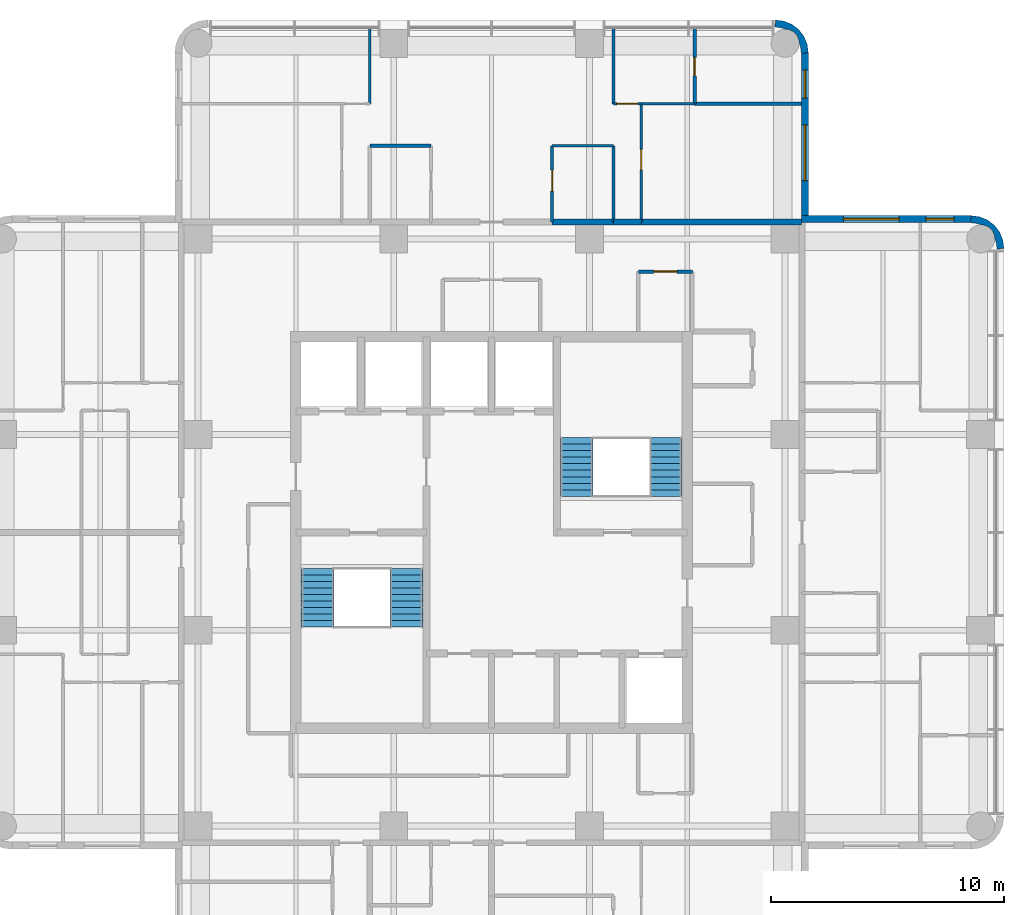
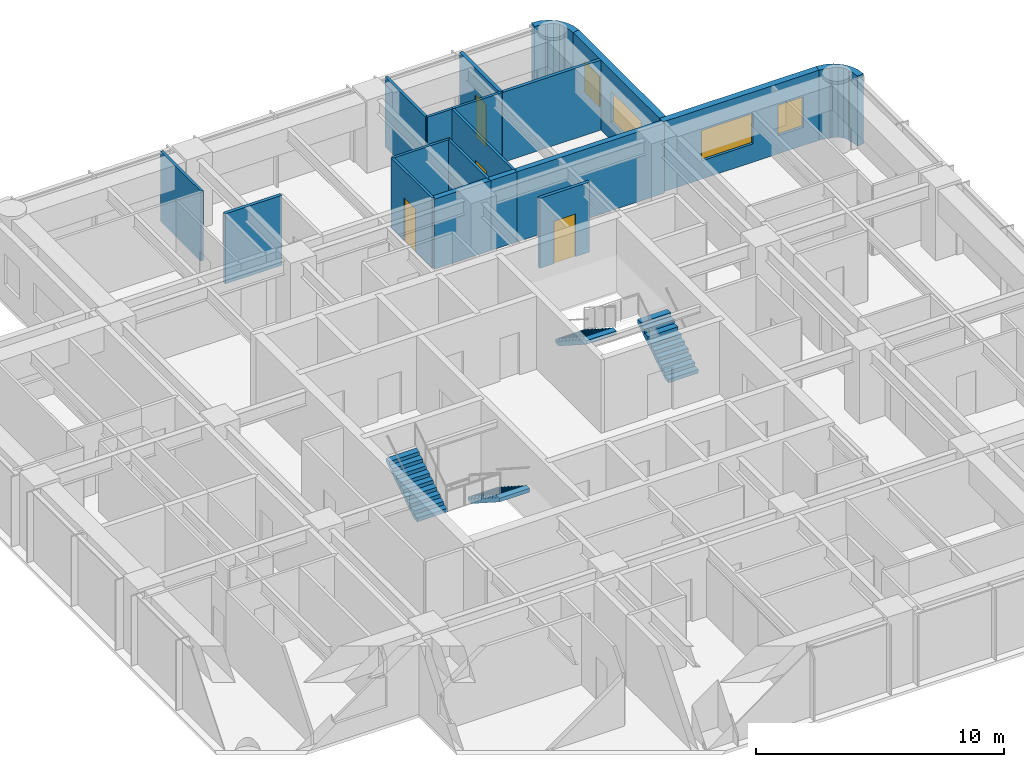
# One storey, part 8 of 9: 19 walls, 5 doors, 4 stair flights, 4 windows, 9 openings, 2 elements without a shape of their own.
"""IFC4 building model written with IfcOpenShell, lengths in metres."""

from ifc_helpers import new_model, si_unit, direction, frame, frame_2d, origin, place, context, subcontext, project, spatial, polyline, rectangle, outline, extrude, material, layer, layer_set, type_object, element, fill, aggregate, save


model = new_model("IFC4")

# Units and contexts
model_context = context("Model", 3, precision=1e-05, world=origin(), true_north=direction((0.0, 1.0)))
body_context = subcontext(model_context, "Body", "Model", "MODEL_VIEW")
ifc_project = project(units=[si_unit("LENGTHUNIT", "METRE"), si_unit("AREAUNIT", "SQUARE_METRE"), si_unit("VOLUMEUNIT", "CUBIC_METRE"), si_unit("PLANEANGLEUNIT", "RADIAN"), si_unit("MASSUNIT", "GRAM", prefix="KILO")], contexts=[model_context])

# Site, building, storey
site_placement = place(None, origin())
site = spatial("IfcSite", under=ifc_project, at=site_placement, CompositionType="ELEMENT")
building_placement = place(site_placement, origin())
building = spatial("IfcBuilding", under=site, at=building_placement, Name="Torre Alcanfor", CompositionType="ELEMENT")
storey_placement = place(building_placement, frame((0.0, 0.0, 268.5)))
storey = spatial("IfcBuildingStorey", under=building, at=storey_placement, Name="L70", CompositionType="ELEMENT", Elevation=268.5)

# Walls
ifc_material_1 = material(Name="Concrete block masonry, hollow blocks NMX-C-404 9 MPa", Category="masonry")
ifc_layer_1 = layer(ifc_material_1, 0.25)
ifc_layer_set_1 = layer_set([ifc_layer_1], Name="Apartment entrance wall 250 EI 60")
wall_type_1 = type_object("IfcWallType", Name="Apartment entrance wall 250 EI 60", PredefinedType="PARTITIONING", material=ifc_layer_set_1)
wall_1_placement = place(storey_placement, frame((32.0, 42.72509765625, 0.0), z_axis=(0.0, 0.0, 1.0), x_axis=(1.0, 0.0, 0.0)))
element("IfcWall", 1, at=wall_1_placement, inside=storey, type_object=wall_type_1, Name="Partition L70-CORR / L70-NX-KITCHEN", PredefinedType="PARTITIONING", context=body_context, shape_type="SweptSolid", body=[
    extrude(rectangle(XDim=2.62890625, YDim=0.25, at=frame_2d((1.314453125, 0.0))), origin(), (0.0, 0.0, 1.0), 3.449951171875),
])
wall_2_placement = place(storey_placement, frame((34.62890625, 42.72509765625, 0.0), z_axis=(0.0, 0.0, 1.0), x_axis=(1.0, 0.0, 0.0)))
element("IfcWall", 2, at=wall_2_placement, inside=storey, type_object=wall_type_1, Name="Partition L70-CORR / L70-NX-LIVING", PredefinedType="PARTITIONING", context=body_context, shape_type="SweptSolid", body=[
    extrude(rectangle(XDim=1.2001953125, YDim=0.25, at=frame_2d((0.60009765625, 0.0))), origin(), (0.0, 0.0, 1.0), 3.449951171875),
])
wall_3_placement = place(storey_placement, frame((35.8291015625, 42.72509765625, 0.0), z_axis=(0.0, 0.0, 1.0), x_axis=(1.0, 0.0, 0.0)))
element("IfcWall", 3, at=wall_3_placement, inside=storey, type_object=wall_type_1, Name="Partition L70-CORR / L70-NX-BED3", PredefinedType="PARTITIONING", context=body_context, shape_type="SweptSolid", body=[
    extrude(rectangle(XDim=6.870849609375, YDim=0.25, at=frame_2d((3.435546875, 0.0))), origin(), (0.0, 0.0, 1.0), 3.449951171875),
])

# Wall, opening, door
ifc_material_2 = material(Name="Gypsum board on steel studs", Category="steel")
ifc_layer_2 = layer(ifc_material_2, 0.1201171875)
ifc_layer_set_2 = layer_set([ifc_layer_2], Name="Apartment partition 120")
wall_type_2 = type_object("IfcWallType", Name="Apartment partition 120", PredefinedType="PARTITIONING", material=ifc_layer_set_2)
wall_4_placement = place(storey_placement, frame((32.0, 42.72509765625, 0.0), z_axis=(0.0, 0.0, 1.0), x_axis=(0.0, 1.0, 0.0)))
wall_4 = element("IfcWall", 4, at=wall_4_placement, inside=storey, type_object=wall_type_2, Name="Partition L70-NX-ZAG / L70-NX-KITCHEN", PredefinedType="PARTITIONING", context=body_context, shape_type="SweptSolid", body=[
    extrude(rectangle(XDim=3.27490234375, YDim=0.1201171875, at=frame_2d((1.637451171875, 0.0))), origin(), (0.0, 0.0, 1.0), 3.449951171875),
])
opening_1_placement = place(wall_4_placement, frame((1.324951171875, 0.0, 0.0)))
opening_1 = element("IfcOpeningElement", 5, at=opening_1_placement, cuts=wall_4, Name="Opening D-R1", PredefinedType="OPENING", context=body_context, shape_type="SweptSolid", body=[
    extrude(rectangle(XDim=0.89990234375, YDim=2.10009765625, at=frame_2d((0.449951171875, 1.050048828125))), frame((0.0, 0.070068359375, 0.0), z_axis=(0.0, -1.0, 0.0), x_axis=(1.0, 0.0, 0.0)), (0.0, 0.0, 1.0), 0.14013671875),
])
ifc_material_3 = material(Name="Timber", Category="wood")
door_type_1 = type_object("IfcDoorType", Name="Internal door 900x2100", OperationType="SINGLE_SWING_LEFT", PredefinedType="DOOR", material=ifc_material_3)
door_1_placement = place(opening_1_placement, frame((0.89990234375, 0.0, 0.0), z_axis=(0.0, 0.0, 1.0), x_axis=(-1.0, 0.0, 0.0)))
door_1 = element("IfcDoor", 6, at=door_1_placement, inside=storey, type_object=door_type_1, Name="Door L70-NX kitchen", OperationType="SINGLE_SWING_LEFT", OverallHeight=2.10009765625, OverallWidth=0.89990234375, PredefinedType="DOOR", context=body_context, shape_type="SweptSolid", body=[
    extrude(rectangle(XDim=0.89990234375, YDim=2.10009765625, at=frame_2d((0.449951171875, 1.050048828125))), frame((0.0, 0.025146484375, 0.0), z_axis=(0.0, -1.0, 0.0), x_axis=(1.0, 0.0, 0.0)), (0.0, 0.0, 1.0), 0.050048828125),
])
fill(opening_1, door_1)

# Walls
wall_5_placement = place(storey_placement, frame((34.62890625, 42.72509765625, 0.0), z_axis=(0.0, 0.0, 1.0), x_axis=(0.0, 1.0, 0.0)))
element("IfcWall", 7, at=wall_5_placement, inside=storey, type_object=wall_type_2, Name="Partition L70-NX-KITCHEN / L70-NX-LIVING", PredefinedType="PARTITIONING", context=body_context, shape_type="SweptSolid", body=[
    extrude(rectangle(XDim=3.27490234375, YDim=0.1201171875, at=frame_2d((1.637451171875, 0.0))), origin(), (0.0, 0.0, 1.0), 3.449951171875),
])
wall_6_placement = place(storey_placement, frame((34.62890625, 46.0, 0.0), z_axis=(0.0, 0.0, 1.0), x_axis=(-1.0, 0.0, 0.0)))
element("IfcWall", 8, at=wall_6_placement, inside=storey, type_object=wall_type_2, Name="Partition L70-NX-KITCHEN / L70-NX-LIVING", PredefinedType="PARTITIONING", context=body_context, shape_type="SweptSolid", body=[
    extrude(rectangle(XDim=2.62890625, YDim=0.1201171875, at=frame_2d((1.314453125, 0.0))), origin(), (0.0, 0.0, 1.0), 3.449951171875),
])
wall_7_placement = place(storey_placement, frame((24.1708984375, 47.800048828125, 0.0), z_axis=(0.0, 0.0, 1.0), x_axis=(0.0, 1.0, 0.0)))
element("IfcWall", 9, at=wall_7_placement, inside=storey, type_object=wall_type_2, Name="Partition L70-NX-LIVING / L70-NX-MASTER", PredefinedType="PARTITIONING", context=body_context, shape_type="SweptSolid", body=[
    extrude(rectangle(XDim=3.25, YDim=0.1201171875, at=frame_2d((1.625, 0.0))), origin(), (0.0, 0.0, 1.0), 3.449951171875),
])

# Wall, opening, door
wall_8_placement = place(storey_placement, frame((35.8291015625, 47.800048828125, 0.0), z_axis=(0.0, 0.0, 1.0), x_axis=(0.0, -1.0, 0.0)))
wall_8 = element("IfcWall", 10, at=wall_8_placement, inside=storey, type_object=wall_type_2, Name="Partition L70-NX-LIVING / L70-NX-BED3", PredefinedType="PARTITIONING", context=body_context, shape_type="SweptSolid", body=[
    extrude(rectangle(XDim=5.074951171875, YDim=0.1201171875, at=frame_2d((2.53759765625, 0.0))), origin(), (0.0, 0.0, 1.0), 3.449951171875),
])
opening_2_placement = place(wall_8_placement, frame((1.949951171875, 0.0, 0.0)))
opening_2 = element("IfcOpeningElement", 11, at=opening_2_placement, cuts=wall_8, Name="Opening D-R1", PredefinedType="OPENING", context=body_context, shape_type="SweptSolid", body=[
    extrude(rectangle(XDim=0.89990234375, YDim=2.10009765625, at=frame_2d((0.449951171875, 1.050048828125))), frame((0.0, 0.070068359375, 0.0), z_axis=(0.0, -1.0, 0.0), x_axis=(1.0, 0.0, 0.0)), (0.0, 0.0, 1.0), 0.14013671875),
])
door_2_placement = place(opening_2_placement, origin())
door_2 = element("IfcDoor", 12, at=door_2_placement, inside=storey, type_object=door_type_1, Name="Door L70-NX bed3", OperationType="SINGLE_SWING_LEFT", OverallHeight=2.10009765625, OverallWidth=0.89990234375, PredefinedType="DOOR", context=body_context, shape_type="SweptSolid", body=[
    extrude(rectangle(XDim=0.89990234375, YDim=2.10009765625, at=frame_2d((0.449951171875, 1.050048828125))), frame((0.0, 0.02490234375, 0.0), z_axis=(0.0, -1.0, 0.0), x_axis=(1.0, 0.0, 0.0)), (0.0, 0.0, 1.0), 0.050048828125),
])
fill(opening_2, door_2)

# Wall
wall_9_placement = place(storey_placement, frame((34.62890625, 51.050048828125, 0.0), z_axis=(0.0, 0.0, 1.0), x_axis=(0.0, -1.0, 0.0)))
element("IfcWall", 13, at=wall_9_placement, inside=storey, type_object=wall_type_2, Name="Partition L70-NX-LIVING / L70-NX-BED1", PredefinedType="PARTITIONING", context=body_context, shape_type="SweptSolid", body=[
    extrude(rectangle(XDim=3.25, YDim=0.1201171875, at=frame_2d((1.625, 0.0))), origin(), (0.0, 0.0, 1.0), 3.449951171875),
])

# Wall, opening, door
wall_10_placement = place(storey_placement, frame((34.62890625, 47.800048828125, 0.0), z_axis=(0.0, 0.0, 1.0), x_axis=(1.0, 0.0, 0.0)))
wall_10 = element("IfcWall", 14, at=wall_10_placement, inside=storey, type_object=wall_type_2, Name="Partition L70-NX-LIVING / L70-NX-BED1", PredefinedType="PARTITIONING", context=body_context, shape_type="SweptSolid", body=[
    extrude(rectangle(XDim=1.2001953125, YDim=0.1201171875, at=frame_2d((0.60009765625, 0.0))), origin(), (0.0, 0.0, 1.0), 3.449951171875),
])
opening_3_placement = place(wall_10_placement, frame((0.15087890625, 0.0, 0.0)))
opening_3 = element("IfcOpeningElement", 15, at=opening_3_placement, cuts=wall_10, Name="Opening D-R1", PredefinedType="OPENING", context=body_context, shape_type="SweptSolid", body=[
    extrude(rectangle(XDim=0.89990234375, YDim=2.10009765625, at=frame_2d((0.449951171875, 1.050048828125))), frame((0.0, 0.070068359375, 0.0), z_axis=(0.0, -1.0, 0.0), x_axis=(1.0, 0.0, 0.0)), (0.0, 0.0, 1.0), 0.14013671875),
])
door_3_placement = place(opening_3_placement, origin())
door_3 = element("IfcDoor", 16, at=door_3_placement, inside=storey, type_object=door_type_1, Name="Door L70-NX bed1", OperationType="SINGLE_SWING_LEFT", OverallHeight=2.10009765625, OverallWidth=0.89990234375, PredefinedType="DOOR", context=body_context, shape_type="SweptSolid", body=[
    extrude(rectangle(XDim=0.89990234375, YDim=2.10009765625, at=frame_2d((0.449951171875, 1.050048828125))), frame((0.0, 0.02490234375, 0.0), z_axis=(0.0, -1.0, 0.0), x_axis=(1.0, 0.0, 0.0)), (0.0, 0.0, 1.0), 0.050048828125),
])
fill(opening_3, door_3)

# Wall
wall_11_placement = place(storey_placement, frame((38.114013671875, 47.800048828125, 0.0), z_axis=(0.0, 0.0, 1.0), x_axis=(-1.0, 0.0, 0.0)))
element("IfcWall", 17, at=wall_11_placement, inside=storey, type_object=wall_type_2, Name="Partition L70-NX-BED3 / L70-NX-BED1", PredefinedType="PARTITIONING", context=body_context, shape_type="SweptSolid", body=[
    extrude(rectangle(XDim=2.284912109375, YDim=0.1201171875, at=frame_2d((1.142578125, 0.0))), origin(), (0.0, 0.0, 1.0), 3.449951171875),
])

# Wall, openings, windows
ifc_material_4 = material(Name="Limestone cladding", Category="masonry")
ifc_layer_3 = layer(ifc_material_4, 0.0400390625, Name="Facing")
ifc_material_5 = material(Name="Ventilated air cavity")
ifc_layer_4 = layer(ifc_material_5, 0.02001953125, ventilated=True, Name="Ventilated joint")
ifc_material_6 = material(Name="Mineral wool insulation", Category="insulation")
ifc_layer_5 = layer(ifc_material_6, 0.10009765625, Name="Insulation")
ifc_material_7 = material(Name="Concrete f'c 35 MPa", Category="concrete")
ifc_layer_6 = layer(ifc_material_7, 0.139892578125, Name="Backing")
ifc_layer_set_3 = layer_set([ifc_layer_3, ifc_layer_4, ifc_layer_5, ifc_layer_6], Name="External wall stone-clad 300")
wall_type_3 = type_object("IfcWallType", Name="External wall stone-clad 300", PredefinedType="SOLIDWALL", material=ifc_layer_set_3)
wall_12_placement = place(storey_placement, frame((50.0, 42.85009765625, 0.0), z_axis=(0.0, 0.0, 1.0), x_axis=(-1.0, 0.0, 0.0)))
wall_12 = element("IfcWall", 18, at=wall_12_placement, inside=storey, type_object=wall_type_3, Name="External wall L70 9", PredefinedType="SOLIDWALL", context=body_context, shape_type="SweptSolid", body=[
    extrude(rectangle(XDim=7.300048828125, YDim=0.300048828125, at=frame_2d((3.64990234375, 0.0))), origin(), (0.0, 0.0, 1.0), 3.449951171875),
])
opening_4_placement = place(wall_12_placement, frame((3.10009765625, 0.0, 0.89990234375)))
opening_4 = element("IfcOpeningElement", 19, at=opening_4_placement, cuts=wall_12, Name="Opening W1", PredefinedType="OPENING", context=body_context, shape_type="SweptSolid", body=[
    extrude(rectangle(XDim=2.39990234375, YDim=1.5, at=frame_2d((1.199951171875, 0.75))), frame((0.0, 0.159912109375, 0.0), z_axis=(0.0, -1.0, 0.0), x_axis=(1.0, 0.0, 0.0)), (0.0, 0.0, 1.0), 0.320068359375),
])
opening_5_placement = place(wall_12_placement, frame((0.75, 0.0, 0.89990234375)))
opening_5 = element("IfcOpeningElement", 20, at=opening_5_placement, cuts=wall_12, Name="Opening W4", PredefinedType="OPENING", context=body_context, shape_type="SweptSolid", body=[
    extrude(rectangle(XDim=1.199951171875, YDim=1.5, at=frame_2d((0.60009765625, 0.75))), frame((0.0, 0.159912109375, 0.0), z_axis=(0.0, -1.0, 0.0), x_axis=(1.0, 0.0, 0.0)), (0.0, 0.0, 1.0), 0.320068359375),
])
ifc_material_8 = material(Name="Aluminium frame with clear double glazing", Category="aluminium")
window_type_1 = type_object("IfcWindowType", Name="Window bedroom 1200x1500", PartitioningType="SINGLE_PANEL", PredefinedType="WINDOW", material=ifc_material_8)
window_1_placement = place(opening_5_placement, origin())
window_1 = element("IfcWindow", 21, at=window_1_placement, inside=storey, type_object=window_type_1, Name="Window W4 L70-E1", OverallHeight=1.5, OverallWidth=1.199951171875, PartitioningType="SINGLE_PANEL", PredefinedType="WINDOW", context=body_context, shape_type="SweptSolid", body=[
    extrude(rectangle(XDim=1.199951171875, YDim=1.5, at=frame_2d((0.60009765625, 0.75))), frame((0.0, 0.030029296875, 0.0), z_axis=(0.0, -1.0, 0.0), x_axis=(1.0, 0.0, 0.0)), (0.0, 0.0, 1.0), 0.06005859375),
])
fill(opening_5, window_1)
ifc_material_9 = material(Name="Aluminium frame with clear double glazing", Category="aluminium")
window_type_2 = type_object("IfcWindowType", Name="Window bedroom 2400x1500", PartitioningType="SINGLE_PANEL", PredefinedType="WINDOW", material=ifc_material_9)
window_2_placement = place(opening_4_placement, origin())
window_2 = element("IfcWindow", 22, at=window_2_placement, inside=storey, type_object=window_type_2, Name="Window W1 L70-E1", OverallHeight=1.5, OverallWidth=2.39990234375, PartitioningType="SINGLE_PANEL", PredefinedType="WINDOW", context=body_context, shape_type="SweptSolid", body=[
    extrude(rectangle(XDim=2.39990234375, YDim=1.5, at=frame_2d((1.199951171875, 0.75))), frame((0.0, 0.030029296875, 0.0), z_axis=(0.0, -1.0, 0.0), x_axis=(1.0, 0.0, 0.0)), (0.0, 0.0, 1.0), 0.06005859375),
])
fill(opening_4, window_2)

wall_13_placement = place(storey_placement, frame((42.85009765625, 43.0, 0.0), z_axis=(0.0, 0.0, 1.0), x_axis=(0.0, 1.0, 0.0)))
wall_13 = element("IfcWall", 23, at=wall_13_placement, inside=storey, type_object=wall_type_3, Name="External wall L70 10", PredefinedType="SOLIDWALL", context=body_context, shape_type="SweptSolid", body=[
    extrude(rectangle(XDim=7.0, YDim=0.300048828125, at=frame_2d((3.5, 0.0))), origin(), (0.0, 0.0, 1.0), 3.449951171875),
])
opening_6_placement = place(wall_13_placement, frame((1.5, 0.0, 0.89990234375)))
opening_6 = element("IfcOpeningElement", 24, at=opening_6_placement, cuts=wall_13, Name="Opening W1", PredefinedType="OPENING", context=body_context, shape_type="SweptSolid", body=[
    extrude(rectangle(XDim=2.39990234375, YDim=1.5, at=frame_2d((1.199951171875, 0.75))), frame((0.0, 0.159912109375, 0.0), z_axis=(0.0, -1.0, 0.0), x_axis=(1.0, 0.0, 0.0)), (0.0, 0.0, 1.0), 0.320068359375),
])
opening_7_placement = place(wall_13_placement, frame((5.050048828125, 0.0, 0.89990234375)))
opening_7 = element("IfcOpeningElement", 25, at=opening_7_placement, cuts=wall_13, Name="Opening W4", PredefinedType="OPENING", context=body_context, shape_type="SweptSolid", body=[
    extrude(rectangle(XDim=1.199951171875, YDim=1.5, at=frame_2d((0.60009765625, 0.75))), frame((0.0, 0.159912109375, 0.0), z_axis=(0.0, -1.0, 0.0), x_axis=(1.0, 0.0, 0.0)), (0.0, 0.0, 1.0), 0.320068359375),
])
window_3_placement = place(opening_7_placement, origin())
window_3 = element("IfcWindow", 26, at=window_3_placement, inside=storey, type_object=window_type_1, Name="Window W4 L70-N2", OverallHeight=1.5, OverallWidth=1.199951171875, PartitioningType="SINGLE_PANEL", PredefinedType="WINDOW", context=body_context, shape_type="SweptSolid", body=[
    extrude(rectangle(XDim=1.199951171875, YDim=1.5, at=frame_2d((0.60009765625, 0.75))), frame((0.0, 0.030029296875, 0.0), z_axis=(0.0, -1.0, 0.0), x_axis=(1.0, 0.0, 0.0)), (0.0, 0.0, 1.0), 0.06005859375),
])
fill(opening_7, window_3)
window_4_placement = place(opening_6_placement, origin())
window_4 = element("IfcWindow", 27, at=window_4_placement, inside=storey, type_object=window_type_2, Name="Window W1 L70-N2", OverallHeight=1.5, OverallWidth=2.39990234375, PartitioningType="SINGLE_PANEL", PredefinedType="WINDOW", context=body_context, shape_type="SweptSolid", body=[
    extrude(rectangle(XDim=2.39990234375, YDim=1.5, at=frame_2d((1.199951171875, 0.75))), frame((0.0, 0.030029296875, 0.0), z_axis=(0.0, -1.0, 0.0), x_axis=(1.0, 0.0, 0.0)), (0.0, 0.0, 1.0), 0.06005859375),
])
fill(opening_6, window_4)

# Wall, opening, door
ifc_material_10 = material(Name="Concrete block masonry, hollow blocks NMX-C-404 9 MPa", Category="masonry")
ifc_layer_7 = layer(ifc_material_10, 0.14990234375)
ifc_layer_set_4 = layer_set([ifc_layer_7], Name="Residents' room partition 150")
wall_type_4 = type_object("IfcWallType", Name="Residents' room partition 150", PredefinedType="PARTITIONING", material=ifc_layer_set_4)
wall_14_placement = place(storey_placement, frame((38.02490234375, 40.60009765625, 0.0), z_axis=(0.0, 0.0, 1.0), x_axis=(-1.0, 0.0, 0.0)))
wall_14 = element("IfcWall", 28, at=wall_14_placement, inside=storey, type_object=wall_type_4, Name="Partition L70-CORR / L70-G02", PredefinedType="PARTITIONING", context=body_context, shape_type="SweptSolid", body=[
    extrude(rectangle(XDim=2.324951171875, YDim=0.14990234375, at=frame_2d((1.16259765625, 0.0))), origin(), (0.0, 0.0, 1.0), 3.449951171875),
])
opening_8_placement = place(wall_14_placement, frame((0.66259765625, 0.0, 0.0)))
opening_8 = element("IfcOpeningElement", 29, at=opening_8_placement, cuts=wall_14, Name="Opening D-M1", PredefinedType="OPENING", context=body_context, shape_type="SweptSolid", body=[
    extrude(rectangle(XDim=1.0, YDim=2.10009765625, at=frame_2d((0.5, 1.050048828125))), frame((0.0, 0.0849609375, 0.0), z_axis=(0.0, -1.0, 0.0), x_axis=(1.0, 0.0, 0.0)), (0.0, 0.0, 1.0), 0.169921875),
])
ifc_material_11 = material(Name="Timber", Category="wood")
door_type_2 = type_object("IfcDoorType", Name="Residents' room door 1000x2100", OperationType="SINGLE_SWING_LEFT", PredefinedType="DOOR", material=ifc_material_11)
door_4_placement = place(opening_8_placement, origin())
door_4 = element("IfcDoor", 30, at=door_4_placement, inside=storey, type_object=door_type_2, Name="Door L70-G02 linen store", OperationType="SINGLE_SWING_LEFT", OverallHeight=2.10009765625, OverallWidth=1.0, PredefinedType="DOOR", context=body_context, shape_type="SweptSolid", body=[
    extrude(rectangle(XDim=1.0, YDim=2.10009765625, at=frame_2d((0.5, 1.050048828125))), frame((0.0, 0.02490234375, 0.0), z_axis=(0.0, -1.0, 0.0), x_axis=(1.0, 0.0, 0.0)), (0.0, 0.0, 1.0), 0.050048828125),
])
fill(opening_8, door_4)

# Walls
ifc_layer_8 = layer(ifc_material_4, 0.0400390625, Name="Facing")
ifc_layer_9 = layer(ifc_material_5, 0.02001953125, ventilated=True, Name="Ventilated joint")
ifc_layer_10 = layer(ifc_material_6, 0.10009765625, Name="Insulation")
ifc_layer_11 = layer(ifc_material_7, 0.139892578125, Name="Backing")
ifc_layer_set_5 = layer_set([ifc_layer_8, ifc_layer_9, ifc_layer_10, ifc_layer_11], Name="Rounded corner pier stone-clad 300")
wall_type_5 = type_object("IfcWallType", Name="Rounded corner pier stone-clad 300", PredefinedType="SOLIDWALL", material=ifc_layer_set_5)
wall_15_placement = place(storey_placement, frame((50.975898117, 41.638418254, 0.0), z_axis=(0.0, 0.0, 1.0), x_axis=(0.707106781187, 0.707106781187, 0.0)))
element("IfcWall", 31, at=wall_15_placement, inside=storey, type_object=wall_type_5, Name="Corner pier L70 18", PredefinedType="SOLIDWALL", context=body_context, shape_type="SweptSolid", body=[
    extrude(outline(polyline([(0.23318643990489343, 0.11416555226925765), (0.04674226908422171, -0.12890240376361806), (0.032758956272671336, -0.14288571657516844), (0.27271950945853585, -0.32691301851483145), (0.4952440800028376, -0.03706138628528721), (0.6350772081183413, 0.3006097230899294), (0.682724051772513, 0.6627947882582343), (0.6350772081183413, 1.0253251204095404), (0.4952440800028376, 1.3629962297847569), (0.27271950945853585, 1.6528478620143012), (0.032586322781170685, 1.4686479265831376), (0.04656963559272109, 1.454664613771587), (0.2330138064133928, 1.2115966577387114), (0.2922270939981062, 1.0691740272506984), (0.35800045425984317, 1.0034006669889615), (0.44949620475517277, 0.7824297978681654), (0.4493235712636722, 0.5433324121398039), (0.3578278207683425, 0.32236154301900777), (0.29222709399810615, 0.2567608162487714), (0.23318643990489343, 0.11416555226925765)])), origin(), (0.0, 0.0, 1.0), 3.449951171875),
])
wall_16_placement = place(storey_placement, frame((42.575898117, 50.038418254, 0.0), z_axis=(0.0, 0.0, 1.0), x_axis=(0.707106781187, 0.707106781187, 0.0)))
element("IfcWall", 32, at=wall_16_placement, inside=storey, type_object=wall_type_5, Name="Corner pier L70 19", PredefinedType="SOLIDWALL", context=body_context, shape_type="SweptSolid", body=[
    extrude(outline(polyline([(0.2330138064133928, 0.11420007896755979), (0.0465696355927211, -0.12886787706531594), (0.03258632278117072, -0.14285118987686632), (0.27271950945853585, -0.32705112530802993), (0.4952440800028376, -0.03719949307848569), (0.6350772081183413, 0.3004716162967309), (0.682724051772513, 0.663001948448037), (0.6350772081183413, 1.025187013616342), (0.4952440800028376, 1.3628581229915584), (0.27271950945853596, 1.6527097552211027), (0.032758956272671336, 1.4686824532814398), (0.046742269084221744, 1.4546991404698892), (0.23318643990489346, 1.2116311844370136), (0.2922270939981061, 1.0690359204575), (0.35782782076834246, 1.0034351936872634), (0.4493235712636722, 0.7824643245664674), (0.44949620475517277, 0.543366938838106), (0.3580004542598431, 0.3223960697173099), (0.29222709399810615, 0.2566227094555729), (0.2330138064133928, 0.11420007896755979)])), origin(), (0.0, 0.0, 1.0), 3.449951171875),
])
ifc_material_12 = material(Name="Cement board on steel studs", Category="steel")
ifc_layer_12 = layer(ifc_material_12, 0.14990234375)
ifc_layer_set_6 = layer_set([ifc_layer_12], Name="Wet area partition 150")
wall_type_6 = type_object("IfcWallType", Name="Wet area partition 150", PredefinedType="PARTITIONING", material=ifc_layer_set_6)
wall_17_placement = place(storey_placement, frame((26.800048828125, 46.0, 0.0), z_axis=(0.0, 0.0, 1.0), x_axis=(-1.0, 0.0, 0.0)))
element("IfcWall", 33, at=wall_17_placement, inside=storey, type_object=wall_type_6, Name="Partition L70-NX-BATH2 / L70-NX-LIVING", PredefinedType="PARTITIONING", context=body_context, shape_type="SweptSolid", body=[
    extrude(rectangle(XDim=2.629150390625, YDim=0.14990234375, at=frame_2d((1.314453125, 0.0))), origin(), (0.0, 0.0, 1.0), 3.449951171875),
])
wall_18_placement = place(storey_placement, frame((42.699951171875, 47.800048828125, 0.0), z_axis=(0.0, 0.0, 1.0), x_axis=(-1.0, 0.0, 0.0)))
element("IfcWall", 34, at=wall_18_placement, inside=storey, type_object=wall_type_6, Name="Partition L70-NX-BED3 / L70-NX-BATH1", PredefinedType="PARTITIONING", context=body_context, shape_type="SweptSolid", body=[
    extrude(rectangle(XDim=4.5859375, YDim=0.14990234375, at=frame_2d((2.29296875, 0.0))), origin(), (0.0, 0.0, 1.0), 3.449951171875),
])

# Wall, opening, door
wall_19_placement = place(storey_placement, frame((38.114013671875, 51.050048828125, 0.0), z_axis=(0.0, 0.0, 1.0), x_axis=(0.0, -1.0, 0.0)))
wall_19 = element("IfcWall", 35, at=wall_19_placement, inside=storey, type_object=wall_type_6, Name="Partition L70-NX-BATH1 / L70-NX-BED1", PredefinedType="PARTITIONING", context=body_context, shape_type="SweptSolid", body=[
    extrude(rectangle(XDim=3.25, YDim=0.14990234375, at=frame_2d((1.625, 0.0))), origin(), (0.0, 0.0, 1.0), 3.449951171875),
])
opening_9_placement = place(wall_19_placement, frame((1.25, 0.0, 0.0)))
opening_9 = element("IfcOpeningElement", 36, at=opening_9_placement, cuts=wall_19, Name="Opening D-R2", PredefinedType="OPENING", context=body_context, shape_type="SweptSolid", body=[
    extrude(rectangle(XDim=0.800048828125, YDim=2.10009765625, at=frame_2d((0.39990234375, 1.050048828125))), frame((0.0, 0.0849609375, 0.0), z_axis=(0.0, -1.0, 0.0), x_axis=(1.0, 0.0, 0.0)), (0.0, 0.0, 1.0), 0.169921875),
])
ifc_material_13 = material(Name="Timber", Category="wood")
door_type_3 = type_object("IfcDoorType", Name="Bathroom door 800x2100", OperationType="SINGLE_SWING_LEFT", PredefinedType="DOOR", material=ifc_material_13)
door_5_placement = place(opening_9_placement, frame((0.800048828125, 0.0, 0.0), z_axis=(0.0, 0.0, 1.0), x_axis=(-1.0, 0.0, 0.0)))
door_5 = element("IfcDoor", 37, at=door_5_placement, inside=storey, type_object=door_type_3, Name="Door L70-NX bath1", OperationType="SINGLE_SWING_LEFT", OverallHeight=2.10009765625, OverallWidth=0.800048828125, PredefinedType="DOOR", context=body_context, shape_type="SweptSolid", body=[
    extrude(rectangle(XDim=0.800048828125, YDim=2.10009765625, at=frame_2d((0.400146484375, 1.050048828125))), frame((0.0, 0.025146484375, 0.0), z_axis=(0.0, -1.0, 0.0), x_axis=(1.0, 0.0, 0.0)), (0.0, 0.0, 1.0), 0.050048828125),
])
fill(opening_9, door_5)

# Stair, stair flights
ifc_material_14 = material(Name="Concrete f'c 35 MPa", Category="concrete")
stair_type_1 = type_object("IfcStairType", Name="Exit stair S1 1400 wide", PredefinedType="HALF_TURN_STAIR", material=ifc_material_14)
stair_1_placement = place(storey_placement, origin())
stair_1 = element("IfcStair", 38, at=stair_1_placement, inside=storey, type_object=stair_type_1, Name="Stair S1 L70 to L71", PredefinedType="HALF_TURN_STAIR")
ifc_material_15 = material(Name="Concrete f'c 35 MPa", Category="concrete")
stair_flight_type = type_object("IfcStairFlightType", Name="Stair flight 1400", PredefinedType="STRAIGHT", material=ifc_material_15)
stair_flight_1_placement = place(storey_placement, frame((25.75, 27.85009765625, 0.0), z_axis=(0.0, 0.0, 1.0), x_axis=(0.0, -1.0, 0.0)))
stair_flight_1 = element("IfcStairFlight", 39, at=stair_flight_1_placement, type_object=stair_flight_type, Name="S1 flight 1", NumberOfRisers=10, NumberOfTreads=9, PredefinedType="STRAIGHT", RiserHeight=0.18, TreadLength=0.28, context=body_context, shape_type="SweptSolid", body=[
    extrude(outline(polyline([(0.0, 0.0), (0.0, 0.179931640625), (0.280029296875, 0.179931640625), (0.280029296875, 0.360107421875), (0.56005859375, 0.360107421875), (0.56005859375, 0.5400390625), (0.840087890625, 0.5400390625), (0.840087890625, 0.719970703125), (1.1201171875, 0.719970703125), (1.1201171875, 0.89990234375), (1.39990234375, 0.89990234375), (1.39990234375, 1.080078125), (1.679931640625, 1.080078125), (1.679931640625, 1.260009765625), (1.9599609375, 1.260009765625), (1.9599609375, 1.43994140625), (2.239990234375, 1.43994140625), (2.239990234375, 1.6201171875), (2.52001953125, 1.6201171875), (2.52001953125, 1.800048828125), (2.52001953125, 1.44189453125), (0.277099609375, 0.0), (0.0, 0.0)])), frame((0.0, 0.699951171875, 0.0), z_axis=(0.0, -1.0, 0.0), x_axis=(1.0, 0.0, 0.0)), (0.0, 0.0, 1.0), 1.39990234375),
])
stair_flight_2_placement = place(storey_placement, frame((21.925048828125, 25.330078125, 1.800048828125), z_axis=(0.0, 0.0, 1.0), x_axis=(0.0, 1.0, 0.0)))
stair_flight_2 = element("IfcStairFlight", 40, at=stair_flight_2_placement, type_object=stair_flight_type, Name="S1 flight 2", NumberOfRisers=10, NumberOfTreads=9, PredefinedType="STRAIGHT", RiserHeight=0.18, TreadLength=0.28, context=body_context, shape_type="SweptSolid", body=[
    extrude(outline(polyline([(0.0, 0.0), (0.0, 0.179931640625), (0.280029296875, 0.179931640625), (0.280029296875, 0.360107421875), (0.56005859375, 0.360107421875), (0.56005859375, 0.5400390625), (0.840087890625, 0.5400390625), (0.840087890625, 0.719970703125), (1.1201171875, 0.719970703125), (1.1201171875, 0.89990234375), (1.39990234375, 0.89990234375), (1.39990234375, 1.080078125), (1.679931640625, 1.080078125), (1.679931640625, 1.260009765625), (1.9599609375, 1.260009765625), (1.9599609375, 1.43994140625), (2.239990234375, 1.43994140625), (2.239990234375, 1.6201171875), (2.52001953125, 1.6201171875), (2.52001953125, 1.800048828125), (2.52001953125, 1.44189453125), (0.277099609375, 0.0), (0.0, 0.0)])), frame((0.0, 0.699951171875, 0.0), z_axis=(0.0, -1.0, 0.0), x_axis=(1.0, 0.0, 0.0)), (0.0, 0.0, 1.0), 1.39990234375),
])
aggregate(stair_1, [stair_flight_1, stair_flight_2])

ifc_material_16 = material(Name="Concrete f'c 35 MPa", Category="concrete")
stair_type_2 = type_object("IfcStairType", Name="Exit stair S2 1400 wide", PredefinedType="HALF_TURN_STAIR", material=ifc_material_16)
stair_2_placement = place(storey_placement, origin())
stair_2 = element("IfcStair", 41, at=stair_2_placement, inside=storey, type_object=stair_type_2, Name="Stair S2 L70 to L71", PredefinedType="HALF_TURN_STAIR")
stair_flight_3_placement = place(storey_placement, frame((36.875, 30.949951171875, 0.0), z_axis=(0.0, 0.0, 1.0), x_axis=(0.0, 1.0, 0.0)))
stair_flight_3 = element("IfcStairFlight", 42, at=stair_flight_3_placement, type_object=stair_flight_type, Name="S2 flight 1", NumberOfRisers=10, NumberOfTreads=9, PredefinedType="STRAIGHT", RiserHeight=0.18, TreadLength=0.28, context=body_context, shape_type="SweptSolid", body=[
    extrude(outline(polyline([(0.0, 0.0), (0.0, 0.179931640625), (0.280029296875, 0.179931640625), (0.280029296875, 0.360107421875), (0.56005859375, 0.360107421875), (0.56005859375, 0.5400390625), (0.840087890625, 0.5400390625), (0.840087890625, 0.719970703125), (1.1201171875, 0.719970703125), (1.1201171875, 0.89990234375), (1.39990234375, 0.89990234375), (1.39990234375, 1.080078125), (1.679931640625, 1.080078125), (1.679931640625, 1.260009765625), (1.9599609375, 1.260009765625), (1.9599609375, 1.43994140625), (2.239990234375, 1.43994140625), (2.239990234375, 1.6201171875), (2.52001953125, 1.6201171875), (2.52001953125, 1.800048828125), (2.52001953125, 1.44189453125), (0.277099609375, 0.0), (0.0, 0.0)])), frame((0.0, 0.699951171875, 0.0), z_axis=(0.0, -1.0, 0.0), x_axis=(1.0, 0.0, 0.0)), (0.0, 0.0, 1.0), 1.39990234375),
])
stair_flight_4_placement = place(storey_placement, frame((33.050048828125, 33.469970703125, 1.800048828125), z_axis=(0.0, 0.0, 1.0), x_axis=(0.0, -1.0, 0.0)))
stair_flight_4 = element("IfcStairFlight", 43, at=stair_flight_4_placement, type_object=stair_flight_type, Name="S2 flight 2", NumberOfRisers=10, NumberOfTreads=9, PredefinedType="STRAIGHT", RiserHeight=0.18, TreadLength=0.28, context=body_context, shape_type="SweptSolid", body=[
    extrude(outline(polyline([(0.0, 0.0), (0.0, 0.179931640625), (0.280029296875, 0.179931640625), (0.280029296875, 0.360107421875), (0.56005859375, 0.360107421875), (0.56005859375, 0.5400390625), (0.840087890625, 0.5400390625), (0.840087890625, 0.719970703125), (1.1201171875, 0.719970703125), (1.1201171875, 0.89990234375), (1.39990234375, 0.89990234375), (1.39990234375, 1.080078125), (1.679931640625, 1.080078125), (1.679931640625, 1.260009765625), (1.9599609375, 1.260009765625), (1.9599609375, 1.43994140625), (2.239990234375, 1.43994140625), (2.239990234375, 1.6201171875), (2.52001953125, 1.6201171875), (2.52001953125, 1.800048828125), (2.52001953125, 1.44189453125), (0.277099609375, 0.0), (0.0, 0.0)])), frame((0.0, 0.699951171875, 0.0), z_axis=(0.0, -1.0, 0.0), x_axis=(1.0, 0.0, 0.0)), (0.0, 0.0, 1.0), 1.39990234375),
])
aggregate(stair_2, [stair_flight_3, stair_flight_4])

save(model, "model.ifc")
